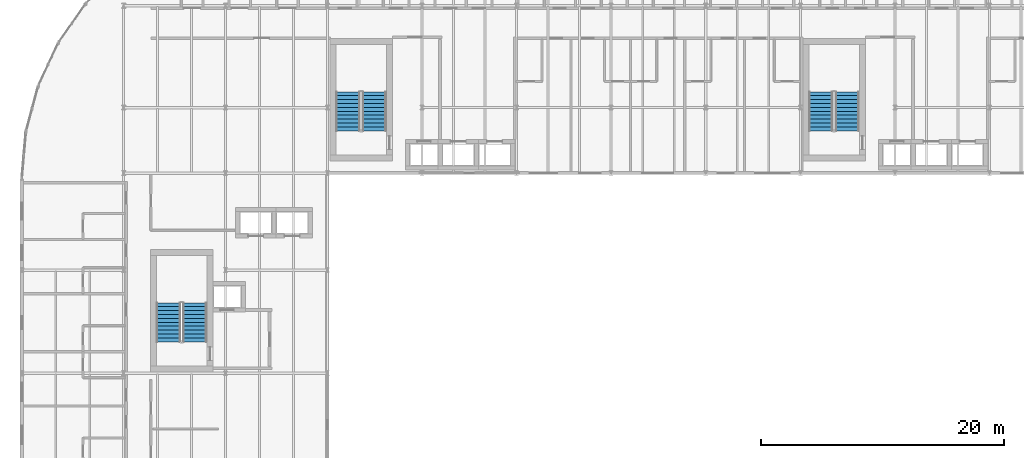
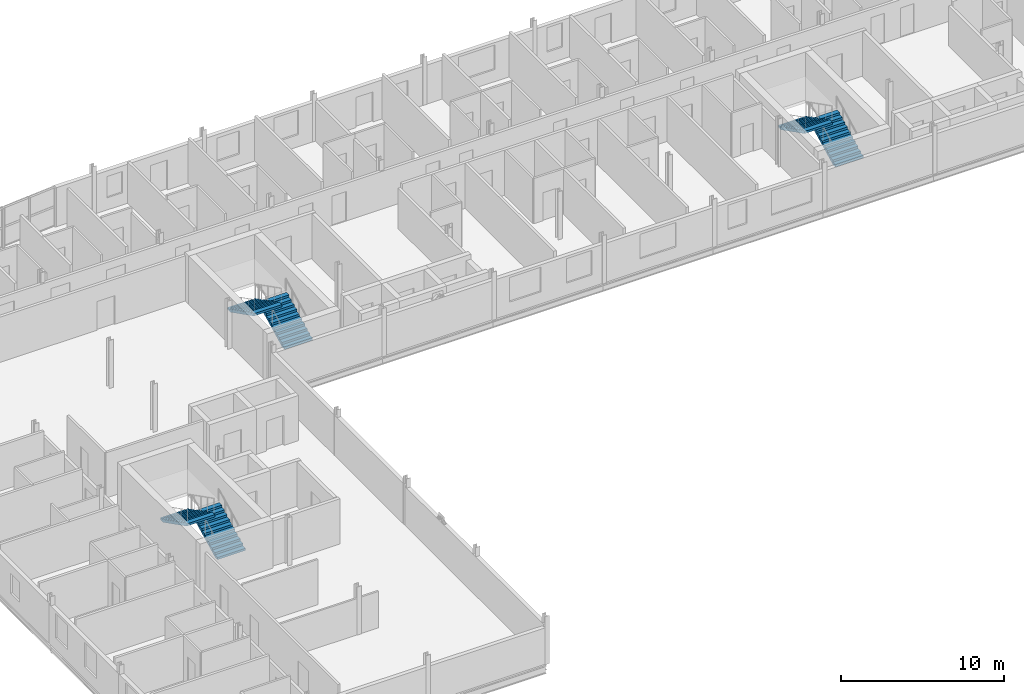
# One storey, part 22 of 25: 6 stair flights, 3 elements without a shape of their own.
"""IFC4 building model written with IfcOpenShell, lengths in metres."""

from ifc_helpers import new_model, si_unit, direction, frame, origin, place, context, subcontext, project, spatial, polyline, outline, extrude, material, type_object, element, aggregate, save


model = new_model("IFC4")

# Units and contexts
model_context = context("Model", 3, precision=1e-05, world=origin(), true_north=direction((0.0, 1.0)))
body_context = subcontext(model_context, "Body", "Model", "MODEL_VIEW")
ifc_project = project(units=[si_unit("LENGTHUNIT", "METRE"), si_unit("AREAUNIT", "SQUARE_METRE"), si_unit("VOLUMEUNIT", "CUBIC_METRE"), si_unit("PLANEANGLEUNIT", "RADIAN"), si_unit("MASSUNIT", "GRAM", prefix="KILO")], contexts=[model_context])

# Site, building, storey
site_placement = place(None, origin())
site = spatial("IfcSite", under=ifc_project, at=site_placement, CompositionType="ELEMENT")
building_placement = place(site_placement, origin())
building = spatial("IfcBuilding", under=site, at=building_placement, Name="Sefraquen Railside Congress Hotel", CompositionType="ELEMENT")
storey_placement = place(building_placement, frame((0.0, 0.0, 39.0)))
storey = spatial("IfcBuildingStorey", under=building, at=storey_placement, Name="L09", CompositionType="ELEMENT", Elevation=39.0)

# Stair, stair flights
ifc_material = material(Name="Concrete C40/50", Category="concrete")
stair_type_1 = type_object("IfcStairType", Name="TST-DOG-198-360", PredefinedType="HALF_TURN_STAIR", material=ifc_material)
stair_1_placement = place(storey_placement, origin())
stair_1 = element("IfcStair", 1, at=stair_1_placement, inside=storey, type_object=stair_type_1, Name="L09 Pressurized escape stair ST-H01", PredefinedType="HALF_TURN_STAIR")
stair_flight_type_1 = type_object("IfcStairFlightType", Name="TSF-FLT-198-360", PredefinedType="STRAIGHT", material=ifc_material)
stair_flight_1_placement = place(storey_placement, frame((14.27001953125, 82.080078125, 0.0), z_axis=(0.0, 0.0, 1.0), x_axis=(0.0, 1.0, 0.0)))
stair_flight_1 = element("IfcStairFlight", 2, at=stair_flight_1_placement, type_object=stair_flight_type_1, Name="ST-H01 flight 1", NumberOfRisers=11, NumberOfTreads=10, PredefinedType="STRAIGHT", RiserHeight=0.163636364, TreadLength=0.322, context=body_context, shape_type="SweptSolid", body=[
    extrude(outline(polyline([(0.0, 0.0), (0.0, 0.16357421875), (0.322021484375, 0.16357421875), (0.322021484375, 0.327392578125), (0.64404296875, 0.327392578125), (0.64404296875, 0.490966796875), (0.966064453125, 0.490966796875), (0.966064453125, 0.654541015625), (1.2880859375, 0.654541015625), (1.2880859375, 0.818115234375), (1.610107421875, 0.818115234375), (1.610107421875, 0.98193359375), (1.931884765625, 0.98193359375), (1.931884765625, 1.1455078125), (2.25390625, 1.1455078125), (2.25390625, 1.30908203125), (2.575927734375, 1.30908203125), (2.575927734375, 1.47265625), (2.89794921875, 1.47265625), (2.89794921875, 1.636474609375), (3.219970703125, 1.636474609375), (3.219970703125, 1.800048828125), (3.219970703125, 1.46826171875), (0.330810546875, 0.0), (0.0, 0.0)])), frame((0.0, 0.989990234375, 0.0), z_axis=(0.0, -1.0, 0.0), x_axis=(1.0, 0.0, 0.0)), (0.0, 0.0, 1.0), 1.97998046875),
])
stair_flight_2_placement = place(storey_placement, frame((12.090087890625, 85.300048828125, 1.800048828125), z_axis=(0.0, 0.0, 1.0), x_axis=(0.0, -1.0, 0.0)))
stair_flight_2 = element("IfcStairFlight", 3, at=stair_flight_2_placement, type_object=stair_flight_type_1, Name="ST-H01 flight 2", NumberOfRisers=11, NumberOfTreads=10, PredefinedType="STRAIGHT", RiserHeight=0.163636364, TreadLength=0.322, context=body_context, shape_type="SweptSolid", body=[
    extrude(outline(polyline([(0.0, 0.0), (0.0, 0.16357421875), (0.322021484375, 0.16357421875), (0.322021484375, 0.327392578125), (0.64404296875, 0.327392578125), (0.64404296875, 0.490966796875), (0.966064453125, 0.490966796875), (0.966064453125, 0.654541015625), (1.2880859375, 0.654541015625), (1.2880859375, 0.818115234375), (1.610107421875, 0.818115234375), (1.610107421875, 0.98193359375), (1.931884765625, 0.98193359375), (1.931884765625, 1.1455078125), (2.25390625, 1.1455078125), (2.25390625, 1.30908203125), (2.575927734375, 1.30908203125), (2.575927734375, 1.47265625), (2.89794921875, 1.47265625), (2.89794921875, 1.636474609375), (3.219970703125, 1.636474609375), (3.219970703125, 1.800048828125), (3.219970703125, 1.46826171875), (0.330810546875, 0.0), (0.0, 0.0)])), frame((0.0, 0.989990234375, 0.0), z_axis=(0.0, -1.0, 0.0), x_axis=(1.0, 0.0, 0.0)), (0.0, 0.0, 1.0), 1.97998046875),
])
aggregate(stair_1, [stair_flight_1, stair_flight_2])

stair_type_2 = type_object("IfcStairType", Name="TST-DOG-198-420", PredefinedType="HALF_TURN_STAIR", material=ifc_material)
stair_2_placement = place(storey_placement, origin())
stair_2 = element("IfcStair", 4, at=stair_2_placement, inside=storey, type_object=stair_type_2, Name="L09 Pressurized escape stair ST-H02", PredefinedType="HALF_TURN_STAIR")
stair_flight_type_2 = type_object("IfcStairFlightType", Name="TSF-FLT-198-420", PredefinedType="STRAIGHT", material=ifc_material)
stair_flight_3_placement = place(storey_placement, frame((29.070068359375, 99.47998046875, 0.0), z_axis=(0.0, 0.0, 1.0), x_axis=(0.0, 1.0, 0.0)))
stair_flight_3 = element("IfcStairFlight", 5, at=stair_flight_3_placement, type_object=stair_flight_type_2, Name="ST-H02 flight 1", NumberOfRisers=11, NumberOfTreads=10, PredefinedType="STRAIGHT", RiserHeight=0.163636364, TreadLength=0.322, context=body_context, shape_type="SweptSolid", body=[
    extrude(outline(polyline([(0.0, 0.0), (0.0, 0.16357421875), (0.322021484375, 0.16357421875), (0.322021484375, 0.327392578125), (0.64404296875, 0.327392578125), (0.64404296875, 0.490966796875), (0.966064453125, 0.490966796875), (0.966064453125, 0.654541015625), (1.2880859375, 0.654541015625), (1.2880859375, 0.818115234375), (1.610107421875, 0.818115234375), (1.610107421875, 0.98193359375), (1.931884765625, 0.98193359375), (1.931884765625, 1.1455078125), (2.25390625, 1.1455078125), (2.25390625, 1.30908203125), (2.575927734375, 1.30908203125), (2.575927734375, 1.47265625), (2.89794921875, 1.47265625), (2.89794921875, 1.636474609375), (3.219970703125, 1.636474609375), (3.219970703125, 1.800048828125), (3.219970703125, 1.46826171875), (0.330810546875, 0.0), (0.0, 0.0)])), frame((0.0, 0.989990234375, 0.0), z_axis=(0.0, -1.0, 0.0), x_axis=(1.0, 0.0, 0.0)), (0.0, 0.0, 1.0), 1.97998046875),
])
stair_flight_4_placement = place(storey_placement, frame((26.889892578125, 102.699951171875, 1.800048828125), z_axis=(0.0, 0.0, 1.0), x_axis=(0.0, -1.0, 0.0)))
stair_flight_4 = element("IfcStairFlight", 6, at=stair_flight_4_placement, type_object=stair_flight_type_2, Name="ST-H02 flight 2", NumberOfRisers=11, NumberOfTreads=10, PredefinedType="STRAIGHT", RiserHeight=0.163636364, TreadLength=0.322, context=body_context, shape_type="SweptSolid", body=[
    extrude(outline(polyline([(0.0, 0.0), (0.0, 0.16357421875), (0.322021484375, 0.16357421875), (0.322021484375, 0.327392578125), (0.64404296875, 0.327392578125), (0.64404296875, 0.490966796875), (0.966064453125, 0.490966796875), (0.966064453125, 0.654541015625), (1.2880859375, 0.654541015625), (1.2880859375, 0.818115234375), (1.610107421875, 0.818115234375), (1.610107421875, 0.98193359375), (1.931884765625, 0.98193359375), (1.931884765625, 1.1455078125), (2.25390625, 1.1455078125), (2.25390625, 1.30908203125), (2.575927734375, 1.30908203125), (2.575927734375, 1.47265625), (2.89794921875, 1.47265625), (2.89794921875, 1.636474609375), (3.219970703125, 1.636474609375), (3.219970703125, 1.800048828125), (3.219970703125, 1.46826171875), (0.330810546875, 0.0), (0.0, 0.0)])), frame((0.0, 0.989990234375, 0.0), z_axis=(0.0, -1.0, 0.0), x_axis=(1.0, 0.0, 0.0)), (0.0, 0.0, 1.0), 1.97998046875),
])
aggregate(stair_2, [stair_flight_3, stair_flight_4])

stair_type_3 = type_object("IfcStairType", Name="TST-DOG-198-450", PredefinedType="HALF_TURN_STAIR", material=ifc_material)
stair_3_placement = place(storey_placement, origin())
stair_3 = element("IfcStair", 7, at=stair_3_placement, inside=storey, type_object=stair_type_3, Name="L09 Pressurized escape stair ST-H03", PredefinedType="HALF_TURN_STAIR")
stair_flight_type_3 = type_object("IfcStairFlightType", Name="TSF-FLT-198-450", PredefinedType="STRAIGHT", material=ifc_material)
stair_flight_5_placement = place(storey_placement, frame((68.070068359375, 99.47998046875, 0.0), z_axis=(0.0, 0.0, 1.0), x_axis=(0.0, 1.0, 0.0)))
stair_flight_5 = element("IfcStairFlight", 8, at=stair_flight_5_placement, type_object=stair_flight_type_3, Name="ST-H03 flight 1", NumberOfRisers=11, NumberOfTreads=10, PredefinedType="STRAIGHT", RiserHeight=0.163636364, TreadLength=0.322, context=body_context, shape_type="SweptSolid", body=[
    extrude(outline(polyline([(0.0, 0.0), (0.0, 0.16357421875), (0.322021484375, 0.16357421875), (0.322021484375, 0.327392578125), (0.64404296875, 0.327392578125), (0.64404296875, 0.490966796875), (0.966064453125, 0.490966796875), (0.966064453125, 0.654541015625), (1.2880859375, 0.654541015625), (1.2880859375, 0.818115234375), (1.610107421875, 0.818115234375), (1.610107421875, 0.98193359375), (1.931884765625, 0.98193359375), (1.931884765625, 1.1455078125), (2.25390625, 1.1455078125), (2.25390625, 1.30908203125), (2.575927734375, 1.30908203125), (2.575927734375, 1.47265625), (2.89794921875, 1.47265625), (2.89794921875, 1.636474609375), (3.219970703125, 1.636474609375), (3.219970703125, 1.800048828125), (3.219970703125, 1.46826171875), (0.330810546875, 0.0), (0.0, 0.0)])), frame((0.0, 0.989990234375, 0.0), z_axis=(0.0, -1.0, 0.0), x_axis=(1.0, 0.0, 0.0)), (0.0, 0.0, 1.0), 1.97998046875),
])
stair_flight_6_placement = place(storey_placement, frame((65.889892578125, 102.699951171875, 1.800048828125), z_axis=(0.0, 0.0, 1.0), x_axis=(0.0, -1.0, 0.0)))
stair_flight_6 = element("IfcStairFlight", 9, at=stair_flight_6_placement, type_object=stair_flight_type_3, Name="ST-H03 flight 2", NumberOfRisers=11, NumberOfTreads=10, PredefinedType="STRAIGHT", RiserHeight=0.163636364, TreadLength=0.322, context=body_context, shape_type="SweptSolid", body=[
    extrude(outline(polyline([(0.0, 0.0), (0.0, 0.16357421875), (0.322021484375, 0.16357421875), (0.322021484375, 0.327392578125), (0.64404296875, 0.327392578125), (0.64404296875, 0.490966796875), (0.966064453125, 0.490966796875), (0.966064453125, 0.654541015625), (1.2880859375, 0.654541015625), (1.2880859375, 0.818115234375), (1.610107421875, 0.818115234375), (1.610107421875, 0.98193359375), (1.931884765625, 0.98193359375), (1.931884765625, 1.1455078125), (2.25390625, 1.1455078125), (2.25390625, 1.30908203125), (2.575927734375, 1.30908203125), (2.575927734375, 1.47265625), (2.89794921875, 1.47265625), (2.89794921875, 1.636474609375), (3.219970703125, 1.636474609375), (3.219970703125, 1.800048828125), (3.219970703125, 1.46826171875), (0.330810546875, 0.0), (0.0, 0.0)])), frame((0.0, 0.989990234375, 0.0), z_axis=(0.0, -1.0, 0.0), x_axis=(1.0, 0.0, 0.0)), (0.0, 0.0, 1.0), 1.97998046875),
])
aggregate(stair_3, [stair_flight_5, stair_flight_6])

save(model, "model.ifc")
